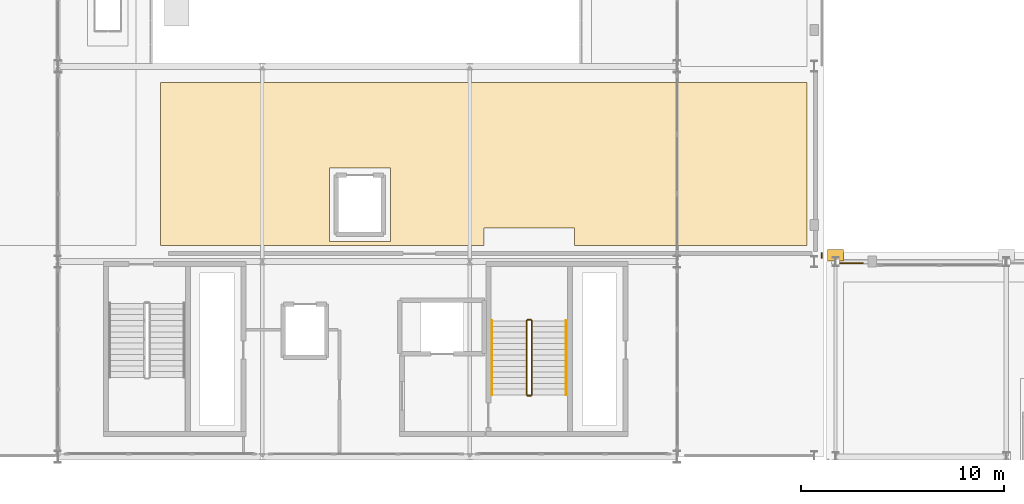
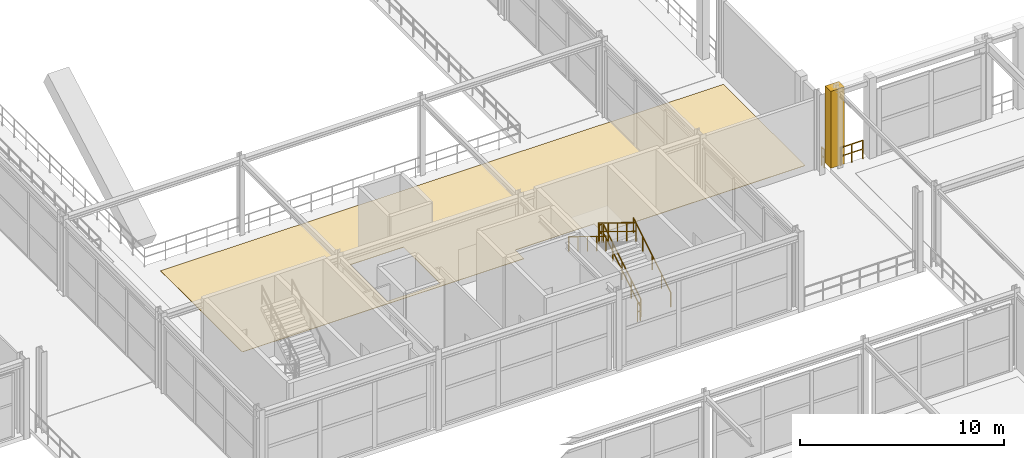
# One storey, part 101 of 125: 8 railings, 2 coverings.
"""IFC4 building model written with IfcOpenShell, lengths in metres."""

from ifc_helpers import new_model, si_unit, direction, frame, origin, origin_2d, place, context, subcontext, project, spatial, polyline, rectangle, outline, extrude, material, layer, layer_set, type_object, element, save


model = new_model("IFC4")

# Units and contexts
model_context = context("Model", 3, precision=1e-05, world=origin(), true_north=direction((0.0, 1.0)))
body_context = subcontext(model_context, "Body", "Model", "MODEL_VIEW")
ifc_project = project(units=[si_unit("LENGTHUNIT", "METRE"), si_unit("AREAUNIT", "SQUARE_METRE"), si_unit("VOLUMEUNIT", "CUBIC_METRE"), si_unit("PLANEANGLEUNIT", "RADIAN"), si_unit("MASSUNIT", "GRAM", prefix="KILO")], contexts=[model_context])

# Site, building, storey
site_placement = place(None, origin())
site = spatial("IfcSite", under=ifc_project, at=site_placement, CompositionType="ELEMENT")
building_placement = place(site_placement, origin())
building = spatial("IfcBuilding", under=site, at=building_placement, Name="Myrtia Square Station", CompositionType="ELEMENT")
storey_placement = place(building_placement, frame((0.0, 0.0, 6.0)))
storey = spatial("IfcBuildingStorey", under=building, at=storey_placement, Name="L01", CompositionType="ELEMENT", Elevation=6.0)

# Coverings
ifc_material_1 = material(Name="Pentelic marble ashlar", Category="masonry")
ifc_layer_1 = layer(ifc_material_1, 0.4599609375, Name="Pentelic marble ashlar")
ifc_layer_set_1 = layer_set([ifc_layer_1], Name="Pentelic marble ashlar")
covering_type_1 = type_object("IfcCoveringType", Name="COV-ARCH-ASHLAR", PredefinedType="CLADDING", material=ifc_layer_set_1)
covering_1_placement = place(storey_placement, frame((117.60009765625, 38.719970703125, -0.0400390625), z_axis=(0.0, 0.0, 1.0), x_axis=(1.0, 0.0, 0.0)))
element("IfcCovering", 1, at=covering_1_placement, inside=storey, type_object=covering_type_1, Name="Classical Pentelic ashlar pilaster 002", PredefinedType="CLADDING", context=body_context, shape_type="SweptSolid", body=[
    extrude(rectangle(XDim=0.780029296875, YDim=0.56005859375, at=origin_2d()), origin(), (0.0, 0.0, 1.0), 4.590087890625),
])
ifc_material_2 = material(Name="Terrazzo stone tile", Category="masonry")
ifc_layer_2 = layer(ifc_material_2, 0.02490234375, Name="Terrazzo stone tile")
ifc_layer_set_2 = layer_set([ifc_layer_2], Name="Terrazzo stone tile")
covering_type_2 = type_object("IfcCoveringType", Name="COV-FLR-TERRAZZO", PredefinedType="FLOORING", material=ifc_layer_set_2)
covering_2_placement = place(storey_placement, origin())
element("IfcCovering", 2, at=covering_2_placement, inside=storey, type_object=covering_type_2, Name="Terrazzo room flooring L01-06", PredefinedType="FLOORING", context=body_context, shape_type="SweptSolid", body=[
    extrude(outline(polyline([(84.39990234375, 47.199951171875), (116.199951171875, 47.199951171875), (116.199951171875, 39.199951171875), (104.760009765625, 39.199951171875), (104.760009765625, 40.050048828125), (100.300048828125, 40.050048828125), (100.300048828125, 39.199951171875), (84.39990234375, 39.199951171875), (84.39990234375, 47.199951171875)]), holes=[polyline([(95.699951171875, 39.39990234375), (95.699951171875, 43.0), (92.699951171875, 43.0), (92.699951171875, 39.39990234375), (95.699951171875, 39.39990234375)])]), origin(), (0.0, 0.0, 1.0), 0.02490234375),
])

# Railings
ifc_material_3 = material(Name="Dark bronze anodised aluminium", Category="aluminium")
railing_type_1 = type_object("IfcRailingType", Name="RL-HANDRAIL-900", PredefinedType="HANDRAIL", material=ifc_material_3)
railing_1_placement = place(storey_placement, frame((104.360107421875, 31.85009765625, 0.17138671875)))
element("IfcRailing", 3, at=railing_1_placement, inside=storey, type_object=railing_type_1, Name="L01 ST03 stair handrail 1", PredefinedType="HANDRAIL", context=body_context, shape_type="SweptSolid", body=[
    extrude(rectangle(XDim=0.048095703125, YDim=0.048095703125, at=origin_2d()), frame((0.0, 0.029541015625, 0.89404296875), z_axis=(0.0, 0.852850264322, 0.5221555579), x_axis=(-1.0, 0.0, 0.0)), (0.0, 0.0, 1.0), 0.997802734375),
    extrude(rectangle(XDim=0.048095703125, YDim=0.048095703125, at=origin_2d()), frame((0.0, 0.939453125, 1.451171875), z_axis=(0.0, 0.852850264322, 0.5221555579), x_axis=(-1.0, 0.0, 0.0)), (0.0, 0.0, 1.0), 0.997802734375),
    extrude(rectangle(XDim=0.048095703125, YDim=0.048095703125, at=origin_2d()), frame((0.0, 1.849609375, 2.00830078125), z_axis=(0.0, 0.852850264322, 0.5221555579), x_axis=(-1.0, 0.0, 0.0)), (0.0, 0.0, 1.0), 0.997802734375),
    extrude(rectangle(XDim=0.048095703125, YDim=0.048095703125, at=origin_2d()), frame((0.0, 2.759521484375, 2.5654296875), z_axis=(0.0, 0.852850264322, 0.5221555579), x_axis=(-1.0, 0.0, 0.0)), (0.0, 0.0, 1.0), 0.997802734375),
    extrude(rectangle(XDim=0.0439453125, YDim=0.0439453125, at=origin_2d()), origin(), (0.0, 0.0, 1.0), 0.89990234375),
    extrude(rectangle(XDim=0.0439453125, YDim=0.0439453125, at=origin_2d()), frame((0.0, 0.909912109375, 0.55712890625)), (0.0, 0.0, 1.0), 0.89990234375),
    extrude(rectangle(XDim=0.0439453125, YDim=0.0439453125, at=origin_2d()), frame((0.0, 1.81982421875, 1.1142578125)), (0.0, 0.0, 1.0), 0.89990234375),
    extrude(rectangle(XDim=0.0439453125, YDim=0.0439453125, at=origin_2d()), frame((0.0, 2.72998046875, 1.67138671875)), (0.0, 0.0, 1.0), 0.89990234375),
    extrude(rectangle(XDim=0.0439453125, YDim=0.0439453125, at=origin_2d()), frame((0.0, 3.639892578125, 2.228515625)), (0.0, 0.0, 1.0), 0.89990234375),
])
railing_2_placement = place(storey_placement, frame((100.699951171875, 35.489990234375, 2.571533203125)))
element("IfcRailing", 4, at=railing_2_placement, inside=storey, type_object=railing_type_1, Name="L01 ST03 stair handrail 2", PredefinedType="HANDRAIL", context=body_context, shape_type="SweptSolid", body=[
    extrude(rectangle(XDim=0.048095703125, YDim=0.048095703125, at=origin_2d()), frame((0.0, -0.029541015625, 0.89404296875), z_axis=(0.0, -0.852850264322, 0.5221555579), x_axis=(1.0, 0.0, 0.0)), (0.0, 0.0, 1.0), 0.997802734375),
    extrude(rectangle(XDim=0.048095703125, YDim=0.048095703125, at=origin_2d()), frame((0.0, -0.939453125, 1.451171875), z_axis=(0.0, -0.852850264322, 0.5221555579), x_axis=(1.0, 0.0, 0.0)), (0.0, 0.0, 1.0), 0.997802734375),
    extrude(rectangle(XDim=0.048095703125, YDim=0.048095703125, at=origin_2d()), frame((0.0, -1.849609375, 2.00830078125), z_axis=(0.0, -0.852850264322, 0.5221555579), x_axis=(1.0, 0.0, 0.0)), (0.0, 0.0, 1.0), 0.997802734375),
    extrude(rectangle(XDim=0.048095703125, YDim=0.048095703125, at=origin_2d()), frame((0.0, -2.759521484375, 2.5654296875), z_axis=(0.0, -0.852850264322, 0.5221555579), x_axis=(1.0, 0.0, 0.0)), (0.0, 0.0, 1.0), 0.997802734375),
    extrude(rectangle(XDim=0.0439453125, YDim=0.0439453125, at=origin_2d()), origin(), (0.0, 0.0, 1.0), 0.89990234375),
    extrude(rectangle(XDim=0.0439453125, YDim=0.0439453125, at=origin_2d()), frame((0.0, -0.909912109375, 0.55712890625)), (0.0, 0.0, 1.0), 0.89990234375),
    extrude(rectangle(XDim=0.0439453125, YDim=0.0439453125, at=origin_2d()), frame((0.0, -1.81982421875, 1.1142578125)), (0.0, 0.0, 1.0), 0.89990234375),
    extrude(rectangle(XDim=0.0439453125, YDim=0.0439453125, at=origin_2d()), frame((0.0, -2.72998046875, 1.67138671875)), (0.0, 0.0, 1.0), 0.89990234375),
    extrude(rectangle(XDim=0.0439453125, YDim=0.0439453125, at=origin_2d()), frame((0.0, -3.639892578125, 2.228515625)), (0.0, 0.0, 1.0), 0.89990234375),
])
ifc_material_4 = material(Name="Wrought iron", Category="steel")
railing_type_2 = type_object("IfcRailingType", Name="RL-INT-GUARD-1100", PredefinedType="BALUSTRADE", material=ifc_material_4)
railing_3_placement = place(storey_placement, frame((102.659912109375, 31.85009765625, 0.17138671875)))
element("IfcRailing", 5, at=railing_3_placement, inside=storey, type_object=railing_type_2, Name="L01 ST03 stair guard 1", PredefinedType="BALUSTRADE", context=body_context, shape_type="SweptSolid", body=[
    extrude(rectangle(XDim=0.048095703125, YDim=0.048095703125, at=origin_2d()), frame((0.0, 0.029541015625, 1.1142578125), z_axis=(0.0, 0.852850264322, 0.5221555579), x_axis=(-1.0, 0.0, 0.0)), (0.0, 0.0, 1.0), 0.997802734375),
    extrude(rectangle(XDim=0.048095703125, YDim=0.048095703125, at=origin_2d()), frame((0.0, 0.029541015625, 0.6005859375), z_axis=(0.0, 0.852850264322, 0.5221555579), x_axis=(-1.0, 0.0, 0.0)), (0.0, 0.0, 1.0), 0.997802734375),
    extrude(rectangle(XDim=0.048095703125, YDim=0.048095703125, at=origin_2d()), frame((0.0, 0.939453125, 1.67138671875), z_axis=(0.0, 0.852850264322, 0.5221555579), x_axis=(-1.0, 0.0, 0.0)), (0.0, 0.0, 1.0), 0.997802734375),
    extrude(rectangle(XDim=0.048095703125, YDim=0.048095703125, at=origin_2d()), frame((0.0, 0.939453125, 1.15771484375), z_axis=(0.0, 0.852850264322, 0.5221555579), x_axis=(-1.0, 0.0, 0.0)), (0.0, 0.0, 1.0), 0.997802734375),
    extrude(rectangle(XDim=0.048095703125, YDim=0.048095703125, at=origin_2d()), frame((0.0, 1.849609375, 2.228515625), z_axis=(0.0, 0.852850264322, 0.5221555579), x_axis=(-1.0, 0.0, 0.0)), (0.0, 0.0, 1.0), 0.997802734375),
    extrude(rectangle(XDim=0.048095703125, YDim=0.048095703125, at=origin_2d()), frame((0.0, 1.849609375, 1.71484375), z_axis=(0.0, 0.852850264322, 0.5221555579), x_axis=(-1.0, 0.0, 0.0)), (0.0, 0.0, 1.0), 0.997802734375),
    extrude(rectangle(XDim=0.048095703125, YDim=0.048095703125, at=origin_2d()), frame((0.0, 2.759521484375, 2.78564453125), z_axis=(0.0, 0.852850264322, 0.5221555579), x_axis=(-1.0, 0.0, 0.0)), (0.0, 0.0, 1.0), 0.997802734375),
    extrude(rectangle(XDim=0.048095703125, YDim=0.048095703125, at=origin_2d()), frame((0.0, 2.759521484375, 2.27197265625), z_axis=(0.0, 0.852850264322, 0.5221555579), x_axis=(-1.0, 0.0, 0.0)), (0.0, 0.0, 1.0), 0.997802734375),
    extrude(rectangle(XDim=0.0439453125, YDim=0.0439453125, at=origin_2d()), origin(), (0.0, 0.0, 1.0), 1.1201171875),
    extrude(rectangle(XDim=0.0439453125, YDim=0.0439453125, at=origin_2d()), frame((0.0, 0.909912109375, 0.55712890625)), (0.0, 0.0, 1.0), 1.1201171875),
    extrude(rectangle(XDim=0.0439453125, YDim=0.0439453125, at=origin_2d()), frame((0.0, 1.81982421875, 1.1142578125)), (0.0, 0.0, 1.0), 1.1201171875),
    extrude(rectangle(XDim=0.0439453125, YDim=0.0439453125, at=origin_2d()), frame((0.0, 2.72998046875, 1.67138671875)), (0.0, 0.0, 1.0), 1.1201171875),
    extrude(rectangle(XDim=0.0439453125, YDim=0.0439453125, at=origin_2d()), frame((0.0, 3.639892578125, 2.228515625)), (0.0, 0.0, 1.0), 1.1201171875),
])
railing_4_placement = place(storey_placement, frame((102.610107421875, 35.5400390625, 2.39990234375)))
element("IfcRailing", 6, at=railing_4_placement, inside=storey, type_object=railing_type_2, Name="L01 ST03 stair guard 2", PredefinedType="BALUSTRADE", context=body_context, shape_type="SweptSolid", body=[
    extrude(rectangle(XDim=0.048095703125, YDim=0.048095703125, at=origin_2d()), frame((-0.03466796875, 0.0, 1.09619140625), z_axis=(-1.0, 0.0, 0.0), x_axis=(0.0, -1.0, 0.0)), (0.0, 0.0, 1.0), 0.0908203125),
    extrude(rectangle(XDim=0.048095703125, YDim=0.048095703125, at=origin_2d()), frame((-0.03466796875, 0.0, 0.58251953125), z_axis=(-1.0, 0.0, 0.0), x_axis=(0.0, -1.0, 0.0)), (0.0, 0.0, 1.0), 0.0908203125),
    extrude(rectangle(XDim=0.0439453125, YDim=0.0439453125, at=origin_2d()), origin(), (0.0, 0.0, 1.0), 1.1201171875),
    extrude(rectangle(XDim=0.0439453125, YDim=0.0439453125, at=origin_2d()), frame((-0.16015625, 0.0, 0.0)), (0.0, 0.0, 1.0), 1.1201171875),
])
railing_5_placement = place(storey_placement, frame((102.39990234375, 35.489990234375, 2.571533203125)))
element("IfcRailing", 7, at=railing_5_placement, inside=storey, type_object=railing_type_2, Name="L01 ST03 stair guard 3", PredefinedType="BALUSTRADE", context=body_context, shape_type="SweptSolid", body=[
    extrude(rectangle(XDim=0.048095703125, YDim=0.048095703125, at=origin_2d()), frame((0.0, -0.029541015625, 1.1142578125), z_axis=(0.0, -0.852850264322, 0.5221555579), x_axis=(1.0, 0.0, 0.0)), (0.0, 0.0, 1.0), 0.997802734375),
    extrude(rectangle(XDim=0.048095703125, YDim=0.048095703125, at=origin_2d()), frame((0.0, -0.029541015625, 0.6005859375), z_axis=(0.0, -0.852850264322, 0.5221555579), x_axis=(1.0, 0.0, 0.0)), (0.0, 0.0, 1.0), 0.997802734375),
    extrude(rectangle(XDim=0.048095703125, YDim=0.048095703125, at=origin_2d()), frame((0.0, -0.939453125, 1.67138671875), z_axis=(0.0, -0.852850264322, 0.5221555579), x_axis=(1.0, 0.0, 0.0)), (0.0, 0.0, 1.0), 0.997802734375),
    extrude(rectangle(XDim=0.048095703125, YDim=0.048095703125, at=origin_2d()), frame((0.0, -0.939453125, 1.15771484375), z_axis=(0.0, -0.852850264322, 0.5221555579), x_axis=(1.0, 0.0, 0.0)), (0.0, 0.0, 1.0), 0.997802734375),
    extrude(rectangle(XDim=0.048095703125, YDim=0.048095703125, at=origin_2d()), frame((0.0, -1.849609375, 2.228515625), z_axis=(0.0, -0.852850264322, 0.5221555579), x_axis=(1.0, 0.0, 0.0)), (0.0, 0.0, 1.0), 0.997802734375),
    extrude(rectangle(XDim=0.048095703125, YDim=0.048095703125, at=origin_2d()), frame((0.0, -1.849609375, 1.71484375), z_axis=(0.0, -0.852850264322, 0.5221555579), x_axis=(1.0, 0.0, 0.0)), (0.0, 0.0, 1.0), 0.997802734375),
    extrude(rectangle(XDim=0.048095703125, YDim=0.048095703125, at=origin_2d()), frame((0.0, -2.759521484375, 2.78564453125), z_axis=(0.0, -0.852850264322, 0.5221555579), x_axis=(1.0, 0.0, 0.0)), (0.0, 0.0, 1.0), 0.997802734375),
    extrude(rectangle(XDim=0.048095703125, YDim=0.048095703125, at=origin_2d()), frame((0.0, -2.759521484375, 2.27197265625), z_axis=(0.0, -0.852850264322, 0.5221555579), x_axis=(1.0, 0.0, 0.0)), (0.0, 0.0, 1.0), 0.997802734375),
    extrude(rectangle(XDim=0.0439453125, YDim=0.0439453125, at=origin_2d()), origin(), (0.0, 0.0, 1.0), 1.1201171875),
    extrude(rectangle(XDim=0.0439453125, YDim=0.0439453125, at=origin_2d()), frame((0.0, -0.909912109375, 0.55712890625)), (0.0, 0.0, 1.0), 1.1201171875),
    extrude(rectangle(XDim=0.0439453125, YDim=0.0439453125, at=origin_2d()), frame((0.0, -1.81982421875, 1.1142578125)), (0.0, 0.0, 1.0), 1.1201171875),
    extrude(rectangle(XDim=0.0439453125, YDim=0.0439453125, at=origin_2d()), frame((0.0, -2.72998046875, 1.67138671875)), (0.0, 0.0, 1.0), 1.1201171875),
    extrude(rectangle(XDim=0.0439453125, YDim=0.0439453125, at=origin_2d()), frame((0.0, -3.639892578125, 2.228515625)), (0.0, 0.0, 1.0), 1.1201171875),
])
railing_6_placement = place(storey_placement, frame((102.610107421875, 31.800048828125, 0.0)))
element("IfcRailing", 8, at=railing_6_placement, inside=storey, type_object=railing_type_2, Name="L01 ST03 stair guard 4", PredefinedType="BALUSTRADE", context=body_context, shape_type="SweptSolid", body=[
    extrude(rectangle(XDim=0.048095703125, YDim=0.048095703125, at=origin_2d()), frame((-0.03466796875, 0.0, 1.09619140625), z_axis=(-1.0, 0.0, 0.0), x_axis=(0.0, -1.0, 0.0)), (0.0, 0.0, 1.0), 0.0908203125),
    extrude(rectangle(XDim=0.048095703125, YDim=0.048095703125, at=origin_2d()), frame((-0.03466796875, 0.0, 0.58251953125), z_axis=(-1.0, 0.0, 0.0), x_axis=(0.0, -1.0, 0.0)), (0.0, 0.0, 1.0), 0.0908203125),
    extrude(rectangle(XDim=0.0439453125, YDim=0.0439453125, at=origin_2d()), origin(), (0.0, 0.0, 1.0), 1.1201171875),
    extrude(rectangle(XDim=0.0439453125, YDim=0.0439453125, at=origin_2d()), frame((-0.16015625, 0.0, 0.0)), (0.0, 0.0, 1.0), 1.1201171875),
])
railing_7_placement = place(storey_placement, frame((116.919921875, 38.577880859375, 0.0)))
element("IfcRailing", 9, at=railing_7_placement, inside=storey, type_object=railing_type_2, Name="Perimeter slab edge balustrade L01-010", PredefinedType="BALUSTRADE", context=body_context, shape_type="SweptSolid", body=[
    extrude(rectangle(XDim=0.048095703125, YDim=0.048095703125, at=origin_2d()), frame((0.0, 0.03466796875, 1.09619140625), z_axis=(0.0, 1.0, 0.0), x_axis=(-1.0, 0.0, 0.0)), (0.0, 0.0, 1.0), 0.1806640625),
    extrude(rectangle(XDim=0.048095703125, YDim=0.048095703125, at=origin_2d()), frame((0.0, 0.03466796875, 0.58251953125), z_axis=(0.0, 1.0, 0.0), x_axis=(-1.0, 0.0, 0.0)), (0.0, 0.0, 1.0), 0.1806640625),
    extrude(rectangle(XDim=0.0439453125, YDim=0.0439453125, at=origin_2d()), origin(), (0.0, 0.0, 1.0), 1.1201171875),
    extrude(rectangle(XDim=0.0439453125, YDim=0.0439453125, at=origin_2d()), frame((0.0, 0.25, 0.0)), (0.0, 0.0, 1.0), 1.1201171875),
])
railing_8_placement = place(storey_placement, frame((118.946044921875, 38.320068359375, 0.0)))
element("IfcRailing", 10, at=railing_8_placement, inside=storey, type_object=railing_type_2, Name="Perimeter slab edge balustrade L01-026", PredefinedType="BALUSTRADE", context=body_context, shape_type="SweptSolid", body=[
    extrude(rectangle(XDim=0.048095703125, YDim=0.048095703125, at=origin_2d()), frame((-0.03466796875, 0.0, 1.09619140625), z_axis=(-1.0, 0.0, 0.0), x_axis=(0.0, -1.0, 0.0)), (0.0, 0.0, 1.0), 0.55419921875),
    extrude(rectangle(XDim=0.048095703125, YDim=0.048095703125, at=origin_2d()), frame((-0.03466796875, 0.0, 0.58251953125), z_axis=(-1.0, 0.0, 0.0), x_axis=(0.0, -1.0, 0.0)), (0.0, 0.0, 1.0), 0.55419921875),
    extrude(rectangle(XDim=0.048095703125, YDim=0.048095703125, at=origin_2d()), frame((-0.658203125, 0.0, 1.09619140625), z_axis=(-1.0, 0.0, 0.0), x_axis=(0.0, -1.0, 0.0)), (0.0, 0.0, 1.0), 0.55419921875),
    extrude(rectangle(XDim=0.048095703125, YDim=0.048095703125, at=origin_2d()), frame((-0.658203125, 0.0, 0.58251953125), z_axis=(-1.0, 0.0, 0.0), x_axis=(0.0, -1.0, 0.0)), (0.0, 0.0, 1.0), 0.55419921875),
    extrude(rectangle(XDim=0.0439453125, YDim=0.0439453125, at=origin_2d()), origin(), (0.0, 0.0, 1.0), 1.1201171875),
    extrude(rectangle(XDim=0.0439453125, YDim=0.0439453125, at=origin_2d()), frame((-0.62353515625, 0.0, 0.0)), (0.0, 0.0, 1.0), 1.1201171875),
    extrude(rectangle(XDim=0.0439453125, YDim=0.0439453125, at=origin_2d()), frame((-1.2470703125, 0.0, 0.0)), (0.0, 0.0, 1.0), 1.1201171875),
])

save(model, "model.ifc")
